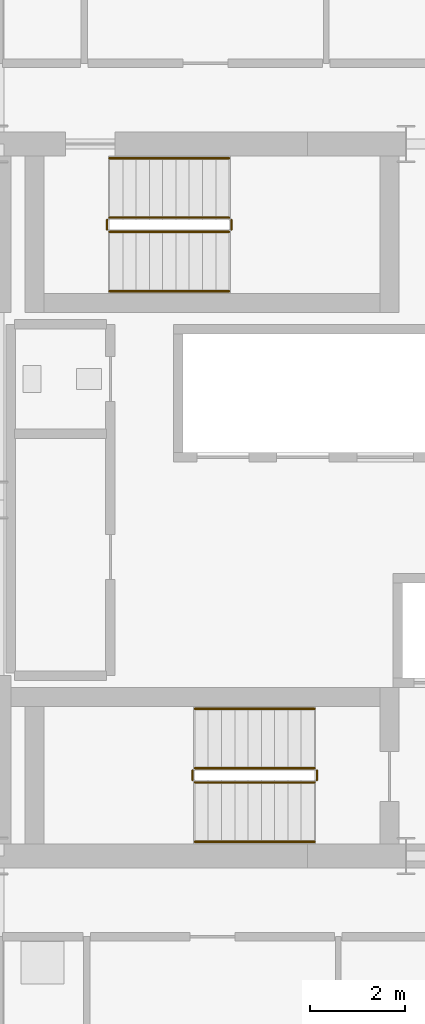
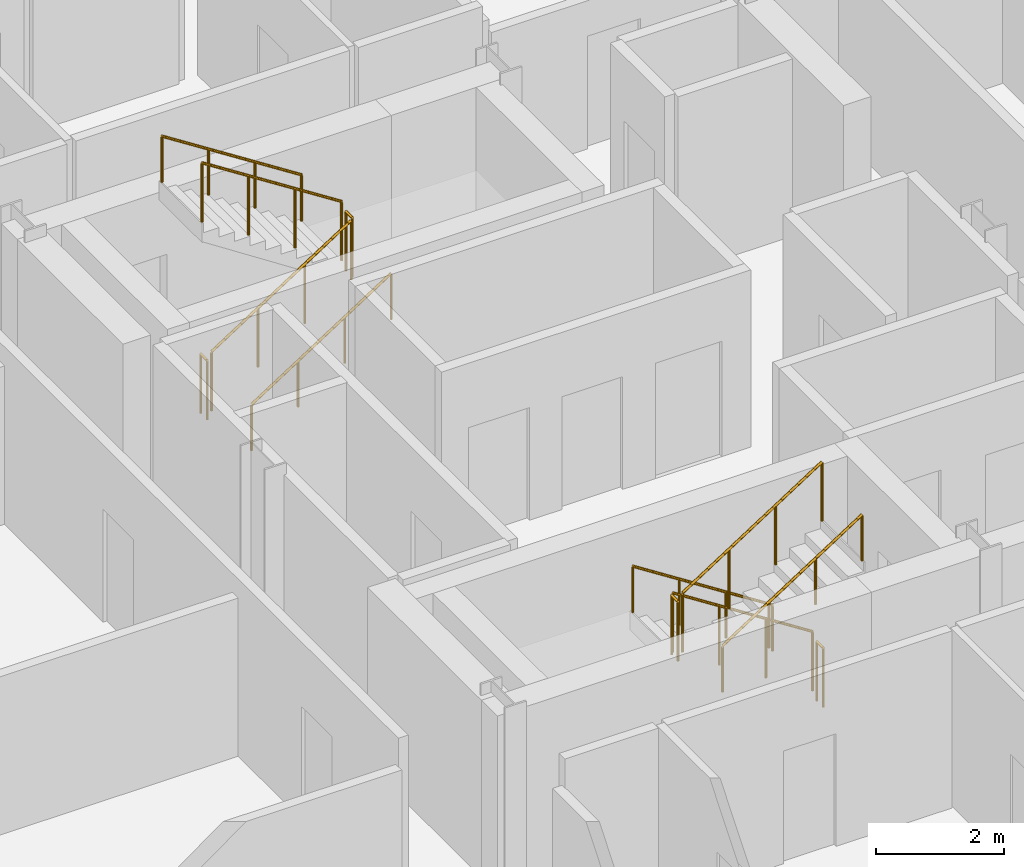
# One storey, part 23 of 24: 12 railings.
"""IFC4 building model written with IfcOpenShell, lengths in metres."""

from ifc_helpers import new_model, si_unit, direction, frame, origin, origin_2d, place, context, subcontext, project, spatial, circle, extrude, material, type_object, element, save


model = new_model("IFC4")

# Units and contexts
model_context = context("Model", 3, precision=1e-05, world=origin(), true_north=direction((0.0, 1.0)))
body_context = subcontext(model_context, "Body", "Model", "MODEL_VIEW")
ifc_project = project(units=[si_unit("LENGTHUNIT", "METRE"), si_unit("AREAUNIT", "SQUARE_METRE"), si_unit("VOLUMEUNIT", "CUBIC_METRE"), si_unit("PLANEANGLEUNIT", "RADIAN"), si_unit("MASSUNIT", "GRAM", prefix="KILO")], contexts=[model_context])

# Site, building, storey
site_placement = place(None, origin())
site = spatial("IfcSite", under=ifc_project, at=site_placement, CompositionType="ELEMENT")
building_placement = place(site_placement, origin())
building = spatial("IfcBuilding", under=site, at=building_placement, Name="Barlavira Tower and Art Museum", CompositionType="ELEMENT")
storey_placement = place(building_placement, frame((0.0, 0.0, 240.300048828125)))
storey = spatial("IfcBuildingStorey", under=building, at=storey_placement, Name="L62", CompositionType="ELEMENT", Elevation=240.300048828125)

# Railings
ifc_material = material(Name="Brushed stainless steel", Category="steel")
railing_type_1 = type_object("IfcRailingType", Name="Interior Void and Landing Guard Railing 1150", PredefinedType="GUARDRAIL", material=ifc_material)
railing_1_placement = place(storey_placement, frame((0.14990234375, -5.64990234375, 0.179931640625)))
element("IfcRailing", 1, at=railing_1_placement, inside=storey, type_object=railing_type_1, Name="L62 ST-T1 stair guard 1", PredefinedType="GUARDRAIL", context=body_context, shape_type="SweptSolid", body=[
    extrude(circle(Radius=0.02392578125, at=origin_2d()), frame((0.0, 0.0, 1.1259765625), z_axis=(-0.841162588446, 0.0, 0.540782303519), x_axis=(0.0, -1.0, 0.0)), (0.0, 0.0, 1.0), 2.995849609375),
    extrude(circle(Radius=0.02099609375, at=origin_2d()), origin(), (0.0, 0.0, 1.0), 1.101806640625),
    extrude(circle(Radius=0.02099609375, at=origin_2d()), frame((-0.840087890625, 0.0, 0.5400390625)), (0.0, 0.0, 1.0), 1.101806640625),
    extrude(circle(Radius=0.02099609375, at=origin_2d()), frame((-1.679931640625, 0.0, 1.080078125)), (0.0, 0.0, 1.0), 1.101806640625),
    extrude(circle(Radius=0.02099609375, at=origin_2d()), frame((-2.52001953125, 0.0, 1.6201171875)), (0.0, 0.0, 1.0), 1.101806640625),
])
railing_2_placement = place(storey_placement, frame((-2.419921875, -5.699951171875, 1.800048828125)))
element("IfcRailing", 2, at=railing_2_placement, inside=storey, type_object=railing_type_1, Name="L62 ST-T1 stair guard 2", PredefinedType="GUARDRAIL", context=body_context, shape_type="SweptSolid", body=[
    extrude(circle(Radius=0.02392578125, at=origin_2d()), frame((0.0, 0.0, 1.1259765625), z_axis=(0.0, -1.0, 0.0), x_axis=(1.0, 0.0, 0.0)), (0.0, 0.0, 1.0), 0.199951171875),
    extrude(circle(Radius=0.02099609375, at=origin_2d()), origin(), (0.0, 0.0, 1.0), 1.101806640625),
    extrude(circle(Radius=0.02099609375, at=origin_2d()), frame((0.0, -0.199951171875, 0.0)), (0.0, 0.0, 1.0), 1.101806640625),
])
railing_3_placement = place(storey_placement, frame((-2.3701171875, -5.949951171875, 1.97998046875)))
element("IfcRailing", 3, at=railing_3_placement, inside=storey, type_object=railing_type_1, Name="L62 ST-T1 stair guard 3", PredefinedType="GUARDRAIL", context=body_context, shape_type="SweptSolid", body=[
    extrude(circle(Radius=0.02392578125, at=origin_2d()), frame((0.0, 0.0, 1.1259765625), z_axis=(0.841199657755, 0.0, 0.540724639528), x_axis=(0.0, 1.0, 0.0)), (0.0, 0.0, 1.0), 2.995849609375),
    extrude(circle(Radius=0.02099609375, at=origin_2d()), origin(), (0.0, 0.0, 1.0), 1.101806640625),
    extrude(circle(Radius=0.02099609375, at=origin_2d()), frame((0.840087890625, 0.0, 0.5400390625)), (0.0, 0.0, 1.0), 1.101806640625),
    extrude(circle(Radius=0.02099609375, at=origin_2d()), frame((1.679931640625, 0.0, 1.079833984375)), (0.0, 0.0, 1.0), 1.101806640625),
    extrude(circle(Radius=0.02099609375, at=origin_2d()), frame((2.52001953125, 0.0, 1.619873046875)), (0.0, 0.0, 1.0), 1.101806640625),
])
railing_4_placement = place(storey_placement, frame((0.199951171875, -5.699951171875, 0.0)))
element("IfcRailing", 4, at=railing_4_placement, inside=storey, type_object=railing_type_1, Name="L62 ST-T1 stair guard 4", PredefinedType="GUARDRAIL", context=body_context, shape_type="SweptSolid", body=[
    extrude(circle(Radius=0.02392578125, at=origin_2d()), frame((0.0, 0.0, 1.1259765625), z_axis=(0.0, -1.0, 0.0), x_axis=(1.0, 0.0, 0.0)), (0.0, 0.0, 1.0), 0.199951171875),
    extrude(circle(Radius=0.02099609375, at=origin_2d()), origin(), (0.0, 0.0, 1.0), 1.101806640625),
    extrude(circle(Radius=0.02099609375, at=origin_2d()), frame((0.0, -0.199951171875, 0.0)), (0.0, 0.0, 1.0), 1.101806640625),
])
railing_5_placement = place(storey_placement, frame((-4.169921875, 5.64990234375, 0.179931640625)))
element("IfcRailing", 5, at=railing_5_placement, inside=storey, type_object=railing_type_1, Name="L62 ST-T2 stair guard 1", PredefinedType="GUARDRAIL", context=body_context, shape_type="SweptSolid", body=[
    extrude(circle(Radius=0.02392578125, at=origin_2d()), frame((0.0, 0.0, 1.1259765625), z_axis=(0.841162588446, 0.0, 0.540782303519), x_axis=(0.0, 1.0, 0.0)), (0.0, 0.0, 1.0), 2.995849609375),
    extrude(circle(Radius=0.02099609375, at=origin_2d()), origin(), (0.0, 0.0, 1.0), 1.101806640625),
    extrude(circle(Radius=0.02099609375, at=origin_2d()), frame((0.840087890625, 0.0, 0.5400390625)), (0.0, 0.0, 1.0), 1.101806640625),
    extrude(circle(Radius=0.02099609375, at=origin_2d()), frame((1.679931640625, 0.0, 1.080078125)), (0.0, 0.0, 1.0), 1.101806640625),
    extrude(circle(Radius=0.02099609375, at=origin_2d()), frame((2.52001953125, 0.0, 1.6201171875)), (0.0, 0.0, 1.0), 1.101806640625),
])
railing_6_placement = place(storey_placement, frame((-1.60009765625, 5.699951171875, 1.800048828125)))
element("IfcRailing", 6, at=railing_6_placement, inside=storey, type_object=railing_type_1, Name="L62 ST-T2 stair guard 2", PredefinedType="GUARDRAIL", context=body_context, shape_type="SweptSolid", body=[
    extrude(circle(Radius=0.02392578125, at=origin_2d()), frame((0.0, 0.0, 1.1259765625), z_axis=(0.0, 1.0, 0.0), x_axis=(-1.0, 0.0, 0.0)), (0.0, 0.0, 1.0), 0.199951171875),
    extrude(circle(Radius=0.02099609375, at=origin_2d()), origin(), (0.0, 0.0, 1.0), 1.101806640625),
    extrude(circle(Radius=0.02099609375, at=origin_2d()), frame((0.0, 0.199951171875, 0.0)), (0.0, 0.0, 1.0), 1.101806640625),
])
railing_7_placement = place(storey_placement, frame((-1.64990234375, 5.949951171875, 1.97998046875)))
element("IfcRailing", 7, at=railing_7_placement, inside=storey, type_object=railing_type_1, Name="L62 ST-T2 stair guard 3", PredefinedType="GUARDRAIL", context=body_context, shape_type="SweptSolid", body=[
    extrude(circle(Radius=0.02392578125, at=origin_2d()), frame((0.0, 0.0, 1.1259765625), z_axis=(-0.841199657755, 0.0, 0.540724639528), x_axis=(0.0, -1.0, 0.0)), (0.0, 0.0, 1.0), 2.995849609375),
    extrude(circle(Radius=0.02099609375, at=origin_2d()), origin(), (0.0, 0.0, 1.0), 1.101806640625),
    extrude(circle(Radius=0.02099609375, at=origin_2d()), frame((-0.840087890625, 0.0, 0.5400390625)), (0.0, 0.0, 1.0), 1.101806640625),
    extrude(circle(Radius=0.02099609375, at=origin_2d()), frame((-1.679931640625, 0.0, 1.079833984375)), (0.0, 0.0, 1.0), 1.101806640625),
    extrude(circle(Radius=0.02099609375, at=origin_2d()), frame((-2.52001953125, 0.0, 1.619873046875)), (0.0, 0.0, 1.0), 1.101806640625),
])
railing_8_placement = place(storey_placement, frame((-4.219970703125, 5.699951171875, 0.0)))
element("IfcRailing", 8, at=railing_8_placement, inside=storey, type_object=railing_type_1, Name="L62 ST-T2 stair guard 4", PredefinedType="GUARDRAIL", context=body_context, shape_type="SweptSolid", body=[
    extrude(circle(Radius=0.02392578125, at=origin_2d()), frame((0.0, 0.0, 1.1259765625), z_axis=(0.0, 1.0, 0.0), x_axis=(-1.0, 0.0, 0.0)), (0.0, 0.0, 1.0), 0.199951171875),
    extrude(circle(Radius=0.02099609375, at=origin_2d()), origin(), (0.0, 0.0, 1.0), 1.101806640625),
    extrude(circle(Radius=0.02099609375, at=origin_2d()), frame((0.0, 0.199951171875, 0.0)), (0.0, 0.0, 1.0), 1.101806640625),
])
railing_type_2 = type_object("IfcRailingType", Name="Stair Pitch Tubular Steel Handrail 920", PredefinedType="HANDRAIL", material=ifc_material)
railing_9_placement = place(storey_placement, frame((0.14990234375, -4.39990234375, 0.179931640625)))
element("IfcRailing", 9, at=railing_9_placement, inside=storey, type_object=railing_type_2, Name="L62 ST-T1 stair handrail 1", PredefinedType="HANDRAIL", context=body_context, shape_type="SweptSolid", body=[
    extrude(circle(Radius=0.02392578125, at=origin_2d()), frame((0.0, 0.0, 0.8759765625), z_axis=(-0.841162588446, 0.0, 0.540782303519), x_axis=(0.0, -1.0, 0.0)), (0.0, 0.0, 1.0), 2.995849609375),
    extrude(circle(Radius=0.02099609375, at=origin_2d()), origin(), (0.0, 0.0, 1.0), 0.851806640625),
    extrude(circle(Radius=0.02099609375, at=origin_2d()), frame((-0.840087890625, 0.0, 0.5400390625)), (0.0, 0.0, 1.0), 0.851806640625),
    extrude(circle(Radius=0.02099609375, at=origin_2d()), frame((-1.679931640625, 0.0, 1.080078125)), (0.0, 0.0, 1.0), 0.851806640625),
    extrude(circle(Radius=0.02099609375, at=origin_2d()), frame((-2.52001953125, 0.0, 1.6201171875)), (0.0, 0.0, 1.0), 0.851806640625),
])
railing_10_placement = place(storey_placement, frame((-2.3701171875, -7.199951171875, 1.97998046875)))
element("IfcRailing", 10, at=railing_10_placement, inside=storey, type_object=railing_type_2, Name="L62 ST-T1 stair handrail 2", PredefinedType="HANDRAIL", context=body_context, shape_type="SweptSolid", body=[
    extrude(circle(Radius=0.02392578125, at=origin_2d()), frame((0.0, 0.0, 0.8759765625), z_axis=(0.841199657755, 0.0, 0.540724639528), x_axis=(0.0, 1.0, 0.0)), (0.0, 0.0, 1.0), 2.995849609375),
    extrude(circle(Radius=0.02099609375, at=origin_2d()), origin(), (0.0, 0.0, 1.0), 0.851806640625),
    extrude(circle(Radius=0.02099609375, at=origin_2d()), frame((0.840087890625, 0.0, 0.5400390625)), (0.0, 0.0, 1.0), 0.851806640625),
    extrude(circle(Radius=0.02099609375, at=origin_2d()), frame((1.679931640625, 0.0, 1.079833984375)), (0.0, 0.0, 1.0), 0.851806640625),
    extrude(circle(Radius=0.02099609375, at=origin_2d()), frame((2.52001953125, 0.0, 1.619873046875)), (0.0, 0.0, 1.0), 0.851806640625),
])
railing_11_placement = place(storey_placement, frame((-4.169921875, 4.39990234375, 0.179931640625)))
element("IfcRailing", 11, at=railing_11_placement, inside=storey, type_object=railing_type_2, Name="L62 ST-T2 stair handrail 1", PredefinedType="HANDRAIL", context=body_context, shape_type="SweptSolid", body=[
    extrude(circle(Radius=0.02392578125, at=origin_2d()), frame((0.0, 0.0, 0.8759765625), z_axis=(0.841162588446, 0.0, 0.540782303519), x_axis=(0.0, 1.0, 0.0)), (0.0, 0.0, 1.0), 2.995849609375),
    extrude(circle(Radius=0.02099609375, at=origin_2d()), origin(), (0.0, 0.0, 1.0), 0.851806640625),
    extrude(circle(Radius=0.02099609375, at=origin_2d()), frame((0.840087890625, 0.0, 0.5400390625)), (0.0, 0.0, 1.0), 0.851806640625),
    extrude(circle(Radius=0.02099609375, at=origin_2d()), frame((1.679931640625, 0.0, 1.080078125)), (0.0, 0.0, 1.0), 0.851806640625),
    extrude(circle(Radius=0.02099609375, at=origin_2d()), frame((2.52001953125, 0.0, 1.6201171875)), (0.0, 0.0, 1.0), 0.851806640625),
])
railing_12_placement = place(storey_placement, frame((-1.64990234375, 7.199951171875, 1.97998046875)))
element("IfcRailing", 12, at=railing_12_placement, inside=storey, type_object=railing_type_2, Name="L62 ST-T2 stair handrail 2", PredefinedType="HANDRAIL", context=body_context, shape_type="SweptSolid", body=[
    extrude(circle(Radius=0.02392578125, at=origin_2d()), frame((0.0, 0.0, 0.8759765625), z_axis=(-0.841199657755, 0.0, 0.540724639528), x_axis=(0.0, -1.0, 0.0)), (0.0, 0.0, 1.0), 2.995849609375),
    extrude(circle(Radius=0.02099609375, at=origin_2d()), origin(), (0.0, 0.0, 1.0), 0.851806640625),
    extrude(circle(Radius=0.02099609375, at=origin_2d()), frame((-0.840087890625, 0.0, 0.5400390625)), (0.0, 0.0, 1.0), 0.851806640625),
    extrude(circle(Radius=0.02099609375, at=origin_2d()), frame((-1.679931640625, 0.0, 1.079833984375)), (0.0, 0.0, 1.0), 0.851806640625),
    extrude(circle(Radius=0.02099609375, at=origin_2d()), frame((-2.52001953125, 0.0, 1.619873046875)), (0.0, 0.0, 1.0), 0.851806640625),
])

save(model, "model.ifc")
